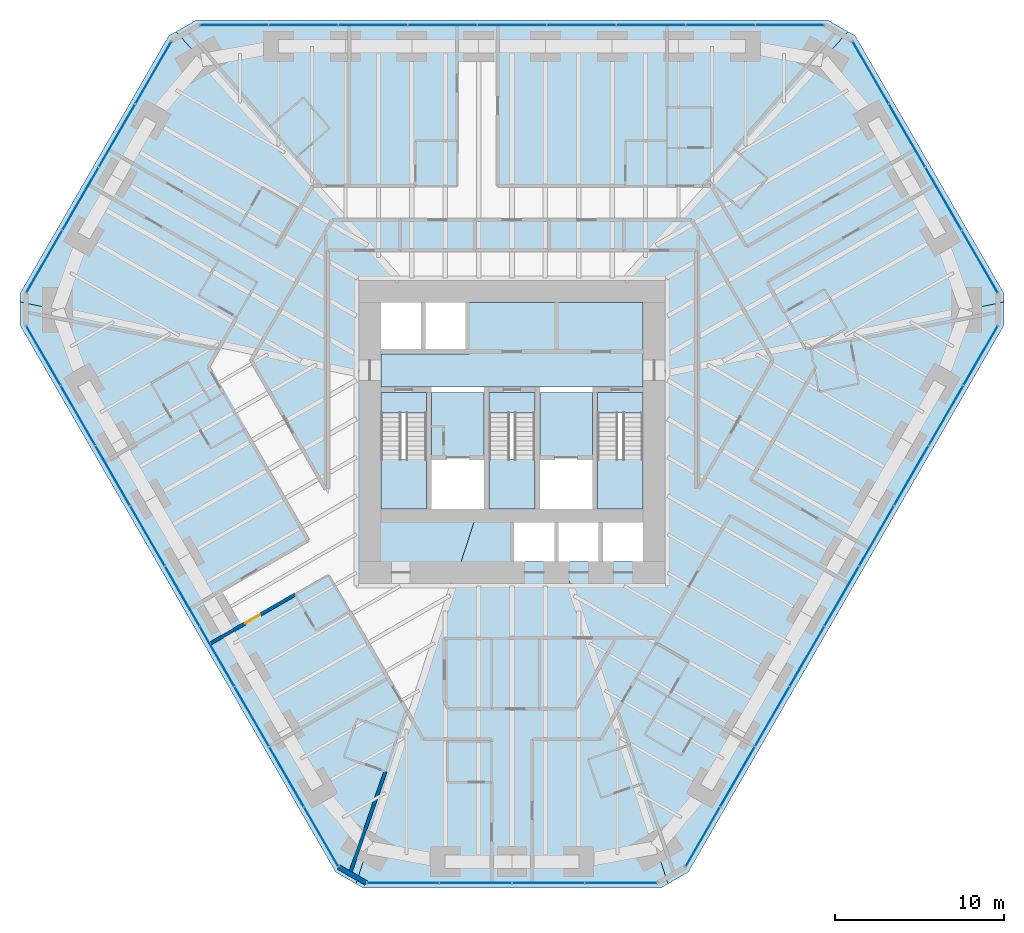
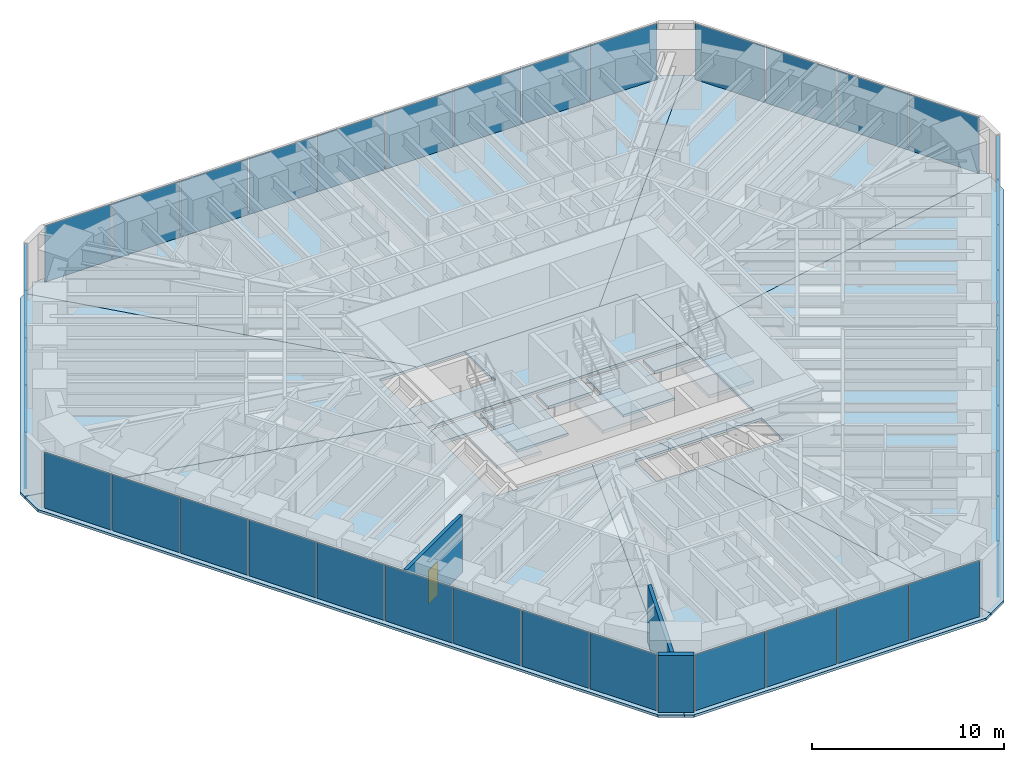
# One storey, part 10 of 17: 39 plates, 15 slabs, 3 walls, 1 door, 1 opening, 9 elements without a shape of their own.
"""IFC4 building model written with IfcOpenShell, lengths in metres."""

from ifc_helpers import new_model, si_unit, direction, frame, frame_2d, origin, origin_2d, place, context, subcontext, project, spatial, polyline, rectangle, outline, extrude, material, layer, layer_set, type_object, element, fill, aggregate, save


model = new_model("IFC4")

# Units and contexts
model_context = context("Model", 3, precision=1e-05, world=origin(), true_north=direction((0.0, 1.0)))
body_context = subcontext(model_context, "Body", "Model", "MODEL_VIEW")
ifc_project = project(units=[si_unit("LENGTHUNIT", "METRE"), si_unit("AREAUNIT", "SQUARE_METRE"), si_unit("VOLUMEUNIT", "CUBIC_METRE"), si_unit("PLANEANGLEUNIT", "RADIAN"), si_unit("MASSUNIT", "GRAM", prefix="KILO")], contexts=[model_context])

# Site, building, storey
site_placement = place(None, origin())
site = spatial("IfcSite", under=ifc_project, at=site_placement, CompositionType="ELEMENT")
building_placement = place(site_placement, origin())
building = spatial("IfcBuilding", under=site, at=building_placement, Name="Sandreach Pilgrim Tower", CompositionType="ELEMENT")
storey_placement = place(building_placement, frame((0.0, 0.0, 104.39990234375)))
storey = spatial("IfcBuildingStorey", under=building, at=storey_placement, Name="L25", CompositionType="ELEMENT", Elevation=104.39990234375)

# Curtain wall, plates
ifc_material_1 = material(Name="Aluminium framed curtain wall", Category="aluminium")
curtain_wall_type = type_object("IfcCurtainWallType", Name="Hotel tower curtain wall", PredefinedType="NOTDEFINED", material=ifc_material_1)
curtain_wall_1_placement = place(storey_placement, origin())
curtain_wall_1 = element("IfcCurtainWall", 1, at=curtain_wall_1_placement, inside=storey, type_object=curtain_wall_type, Name="CW-2 L25 N", PredefinedType="NOTDEFINED")
ifc_material_2 = material(Name="Insulating glass unit 8 heat-strengthened + 16 argon + 8 heat-strengthened", Category="glass")
ifc_layer_1 = layer(ifc_material_2, 0.031982421875)
ifc_layer_set_1 = layer_set([ifc_layer_1], Name="CW-2 panel")
plate_type = type_object("IfcPlateType", Name="CW-2 panel", PredefinedType="CURTAIN_PANEL", material=ifc_layer_set_1)
plate_1_placement = place(storey_placement, frame((-16.41162109375, 22.493896484375, 0.0), z_axis=(0.0, 0.0, 1.0), x_axis=(1.0, 0.0, 0.0)))
plate_1 = element("IfcPlate", 2, at=plate_1_placement, type_object=plate_type, Name="CW-2 panel 1", PredefinedType="CURTAIN_PANEL", context=body_context, shape_type="SweptSolid", body=[
    extrude(rectangle(XDim=4.009521484375, YDim=0.031982421875, at=origin_2d()), origin(), (0.0, 0.0, 1.0), 3.570068359375),
])
plate_2_placement = place(storey_placement, frame((-12.32080078125, 22.493896484375, 0.0), z_axis=(0.0, 0.0, 1.0), x_axis=(1.0, 0.0, 0.0)))
plate_2 = element("IfcPlate", 3, at=plate_2_placement, type_object=plate_type, Name="CW-2 panel 2", PredefinedType="CURTAIN_PANEL", context=body_context, shape_type="SweptSolid", body=[
    extrude(rectangle(XDim=4.0419921875, YDim=0.031982421875, at=origin_2d()), origin(), (0.0, 0.0, 1.0), 3.570068359375),
])
plate_3_placement = place(storey_placement, frame((-8.2138671875, 22.493896484375, 0.0), z_axis=(0.0, 0.0, 1.0), x_axis=(1.0, 0.0, 0.0)))
plate_3 = element("IfcPlate", 4, at=plate_3_placement, type_object=plate_type, Name="CW-2 panel 3", PredefinedType="CURTAIN_PANEL", context=body_context, shape_type="SweptSolid", body=[
    extrude(rectangle(XDim=4.0419921875, YDim=0.031982421875, at=origin_2d()), origin(), (0.0, 0.0, 1.0), 3.570068359375),
])
plate_4_placement = place(storey_placement, frame((-4.10693359375, 22.493896484375, 0.0), z_axis=(0.0, 0.0, 1.0), x_axis=(1.0, 0.0, 0.0)))
plate_4 = element("IfcPlate", 5, at=plate_4_placement, type_object=plate_type, Name="CW-2 panel 4", PredefinedType="CURTAIN_PANEL", context=body_context, shape_type="SweptSolid", body=[
    extrude(rectangle(XDim=4.0419921875, YDim=0.031982421875, at=origin_2d()), origin(), (0.0, 0.0, 1.0), 3.570068359375),
])
plate_5_placement = place(storey_placement, frame((0.0, 22.493896484375, 0.0), z_axis=(0.0, 0.0, 1.0), x_axis=(1.0, 0.0, 0.0)))
plate_5 = element("IfcPlate", 6, at=plate_5_placement, type_object=plate_type, Name="CW-2 panel 5", PredefinedType="CURTAIN_PANEL", context=body_context, shape_type="SweptSolid", body=[
    extrude(rectangle(XDim=4.0419921875, YDim=0.031982421875, at=origin_2d()), origin(), (0.0, 0.0, 1.0), 3.570068359375),
])
plate_6_placement = place(storey_placement, frame((4.10693359375, 22.493896484375, 0.0), z_axis=(0.0, 0.0, 1.0), x_axis=(1.0, 0.0, 0.0)))
plate_6 = element("IfcPlate", 7, at=plate_6_placement, type_object=plate_type, Name="CW-2 panel 6", PredefinedType="CURTAIN_PANEL", context=body_context, shape_type="SweptSolid", body=[
    extrude(rectangle(XDim=4.0419921875, YDim=0.031982421875, at=origin_2d()), origin(), (0.0, 0.0, 1.0), 3.570068359375),
])
plate_7_placement = place(storey_placement, frame((8.2138671875, 22.493896484375, 0.0), z_axis=(0.0, 0.0, 1.0), x_axis=(1.0, 0.0, 0.0)))
plate_7 = element("IfcPlate", 8, at=plate_7_placement, type_object=plate_type, Name="CW-2 panel 7", PredefinedType="CURTAIN_PANEL", context=body_context, shape_type="SweptSolid", body=[
    extrude(rectangle(XDim=4.0419921875, YDim=0.031982421875, at=origin_2d()), origin(), (0.0, 0.0, 1.0), 3.570068359375),
])
plate_8_placement = place(storey_placement, frame((12.32080078125, 22.493896484375, 0.0), z_axis=(0.0, 0.0, 1.0), x_axis=(1.0, 0.0, 0.0)))
plate_8 = element("IfcPlate", 9, at=plate_8_placement, type_object=plate_type, Name="CW-2 panel 8", PredefinedType="CURTAIN_PANEL", context=body_context, shape_type="SweptSolid", body=[
    extrude(rectangle(XDim=4.0419921875, YDim=0.031982421875, at=origin_2d()), origin(), (0.0, 0.0, 1.0), 3.570068359375),
])
plate_9_placement = place(storey_placement, frame((16.41162109375, 22.493896484375, 0.0), z_axis=(0.0, 0.0, 1.0), x_axis=(1.0, 0.0, 0.0)))
plate_9 = element("IfcPlate", 10, at=plate_9_placement, type_object=plate_type, Name="CW-2 panel 9", PredefinedType="CURTAIN_PANEL", context=body_context, shape_type="SweptSolid", body=[
    extrude(rectangle(XDim=4.009521484375, YDim=0.031982421875, at=origin_2d()), origin(), (0.0, 0.0, 1.0), 3.570068359375),
])
aggregate(curtain_wall_1, [plate_1, plate_2, plate_3, plate_4, plate_5, plate_6, plate_7, plate_8, plate_9])

curtain_wall_2_placement = place(storey_placement, origin())
curtain_wall_2 = element("IfcCurtainWall", 11, at=curtain_wall_2_placement, inside=storey, type_object=curtain_wall_type, Name="CW-2 L25 NE", PredefinedType="NOTDEFINED")
plate_10_placement = place(storey_placement, frame((21.194091796875, 19.67529296875, 0.0), z_axis=(0.0, 0.0, 1.0), x_axis=(0.5, -0.866025403784, 0.0)))
plate_10 = element("IfcPlate", 12, at=plate_10_placement, type_object=plate_type, Name="CW-2 panel 1", PredefinedType="CURTAIN_PANEL", context=body_context, shape_type="SweptSolid", body=[
    extrude(rectangle(XDim=4.208251953125, YDim=0.031982421875, at=origin_2d()), origin(), (0.0, 0.0, 1.0), 3.570068359375),
])
plate_11_placement = place(storey_placement, frame((23.3388671875, 15.96044921875, 0.0), z_axis=(0.0, 0.0, 1.0), x_axis=(0.5, -0.866025403784, 0.0)))
plate_11 = element("IfcPlate", 13, at=plate_11_placement, type_object=plate_type, Name="CW-2 panel 2", PredefinedType="CURTAIN_PANEL", context=body_context, shape_type="SweptSolid", body=[
    extrude(rectangle(XDim=4.24072265625, YDim=0.031982421875, at=origin_2d()), origin(), (0.0, 0.0, 1.0), 3.570068359375),
])
plate_12_placement = place(storey_placement, frame((25.49169921875, 12.231689453125, 0.0), z_axis=(0.0, 0.0, 1.0), x_axis=(0.5, -0.866025403784, 0.0)))
plate_12 = element("IfcPlate", 14, at=plate_12_placement, type_object=plate_type, Name="CW-2 panel 3", PredefinedType="CURTAIN_PANEL", context=body_context, shape_type="SweptSolid", body=[
    extrude(rectangle(XDim=4.24072265625, YDim=0.031982421875, at=origin_2d()), origin(), (0.0, 0.0, 1.0), 3.570068359375),
])
plate_13_placement = place(storey_placement, frame((27.63623046875, 8.516845703125, 0.0), z_axis=(0.0, 0.0, 1.0), x_axis=(0.5, -0.866025403784, 0.0)))
plate_13 = element("IfcPlate", 15, at=plate_13_placement, type_object=plate_type, Name="CW-2 panel 4", PredefinedType="CURTAIN_PANEL", context=body_context, shape_type="SweptSolid", body=[
    extrude(rectangle(XDim=4.208251953125, YDim=0.031982421875, at=origin_2d()), origin(), (0.0, 0.0, 1.0), 3.570068359375),
])
aggregate(curtain_wall_2, [plate_10, plate_11, plate_12, plate_13])

curtain_wall_3_placement = place(storey_placement, origin())
curtain_wall_3 = element("IfcCurtainWall", 16, at=curtain_wall_3_placement, inside=storey, type_object=curtain_wall_type, Name="CW-2 L25 SE", PredefinedType="NOTDEFINED")
plate_14_placement = place(storey_placement, frame((27.68603515625, 2.966064453125, 0.0), z_axis=(0.0, 0.0, 1.0), x_axis=(-0.5, -0.866025403784, 0.0)))
plate_14 = element("IfcPlate", 17, at=plate_14_placement, type_object=plate_type, Name="CW-2 panel 1", PredefinedType="CURTAIN_PANEL", context=body_context, shape_type="SweptSolid", body=[
    extrude(rectangle(XDim=4.009521484375, YDim=0.031982421875, at=origin_2d()), origin(), (0.0, 0.0, 1.0), 3.570068359375),
])
plate_15_placement = place(storey_placement, frame((25.640625, -0.57666015625, 0.0), z_axis=(0.0, 0.0, 1.0), x_axis=(-0.5, -0.866025403784, 0.0)))
plate_15 = element("IfcPlate", 18, at=plate_15_placement, type_object=plate_type, Name="CW-2 panel 2", PredefinedType="CURTAIN_PANEL", context=body_context, shape_type="SweptSolid", body=[
    extrude(rectangle(XDim=4.0419921875, YDim=0.031982421875, at=origin_2d()), origin(), (0.0, 0.0, 1.0), 3.570068359375),
])
plate_16_placement = place(storey_placement, frame((23.587158203125, -4.13330078125, 0.0), z_axis=(0.0, 0.0, 1.0), x_axis=(-0.5, -0.866025403784, 0.0)))
plate_16 = element("IfcPlate", 19, at=plate_16_placement, type_object=plate_type, Name="CW-2 panel 3", PredefinedType="CURTAIN_PANEL", context=body_context, shape_type="SweptSolid", body=[
    extrude(rectangle(XDim=4.0419921875, YDim=0.031982421875, at=origin_2d()), origin(), (0.0, 0.0, 1.0), 3.570068359375),
])
plate_17_placement = place(storey_placement, frame((21.53369140625, -7.690185546875, 0.0), z_axis=(0.0, 0.0, 1.0), x_axis=(-0.5, -0.866025403784, 0.0)))
plate_17 = element("IfcPlate", 20, at=plate_17_placement, type_object=plate_type, Name="CW-2 panel 4", PredefinedType="CURTAIN_PANEL", context=body_context, shape_type="SweptSolid", body=[
    extrude(rectangle(XDim=4.0419921875, YDim=0.031982421875, at=origin_2d()), origin(), (0.0, 0.0, 1.0), 3.570068359375),
])
plate_18_placement = place(storey_placement, frame((19.480224609375, -11.246826171875, 0.0), z_axis=(0.0, 0.0, 1.0), x_axis=(-0.5, -0.866025403784, 0.0)))
plate_18 = element("IfcPlate", 21, at=plate_18_placement, type_object=plate_type, Name="CW-2 panel 5", PredefinedType="CURTAIN_PANEL", context=body_context, shape_type="SweptSolid", body=[
    extrude(rectangle(XDim=4.0419921875, YDim=0.031982421875, at=origin_2d()), origin(), (0.0, 0.0, 1.0), 3.570068359375),
])
plate_19_placement = place(storey_placement, frame((17.4267578125, -14.8037109375, 0.0), z_axis=(0.0, 0.0, 1.0), x_axis=(-0.5, -0.866025403784, 0.0)))
plate_19 = element("IfcPlate", 22, at=plate_19_placement, type_object=plate_type, Name="CW-2 panel 6", PredefinedType="CURTAIN_PANEL", context=body_context, shape_type="SweptSolid", body=[
    extrude(rectangle(XDim=4.0419921875, YDim=0.031982421875, at=origin_2d()), origin(), (0.0, 0.0, 1.0), 3.570068359375),
])
plate_20_placement = place(storey_placement, frame((15.373291015625, -18.3603515625, 0.0), z_axis=(0.0, 0.0, 1.0), x_axis=(-0.5, -0.866025403784, 0.0)))
plate_20 = element("IfcPlate", 23, at=plate_20_placement, type_object=plate_type, Name="CW-2 panel 7", PredefinedType="CURTAIN_PANEL", context=body_context, shape_type="SweptSolid", body=[
    extrude(rectangle(XDim=4.0419921875, YDim=0.031982421875, at=origin_2d()), origin(), (0.0, 0.0, 1.0), 3.570068359375),
])
plate_21_placement = place(storey_placement, frame((13.31982421875, -21.917236328125, 0.0), z_axis=(0.0, 0.0, 1.0), x_axis=(-0.5, -0.866025403784, 0.0)))
plate_21 = element("IfcPlate", 24, at=plate_21_placement, type_object=plate_type, Name="CW-2 panel 8", PredefinedType="CURTAIN_PANEL", context=body_context, shape_type="SweptSolid", body=[
    extrude(rectangle(XDim=4.0419921875, YDim=0.031982421875, at=origin_2d()), origin(), (0.0, 0.0, 1.0), 3.570068359375),
])
plate_22_placement = place(storey_placement, frame((11.2744140625, -25.459716796875, 0.0), z_axis=(0.0, 0.0, 1.0), x_axis=(-0.5, -0.866025403784, 0.0)))
plate_22 = element("IfcPlate", 25, at=plate_22_placement, type_object=plate_type, Name="CW-2 panel 9", PredefinedType="CURTAIN_PANEL", context=body_context, shape_type="SweptSolid", body=[
    extrude(rectangle(XDim=4.009521484375, YDim=0.031982421875, at=origin_2d()), origin(), (0.0, 0.0, 1.0), 3.570068359375),
])
aggregate(curtain_wall_3, [plate_14, plate_15, plate_16, plate_17, plate_18, plate_19, plate_20, plate_21, plate_22])

curtain_wall_4_placement = place(storey_placement, origin())
curtain_wall_4 = element("IfcCurtainWall", 26, at=curtain_wall_4_placement, inside=storey, type_object=curtain_wall_type, Name="CW-2 L25 S", PredefinedType="NOTDEFINED")
plate_23_placement = place(storey_placement, frame((6.4423828125, -28.192138671875, 0.0), z_axis=(0.0, 0.0, 1.0), x_axis=(-1.0, 0.0, 0.0)))
plate_23 = element("IfcPlate", 27, at=plate_23_placement, type_object=plate_type, Name="CW-2 panel 1", PredefinedType="CURTAIN_PANEL", context=body_context, shape_type="SweptSolid", body=[
    extrude(rectangle(XDim=4.208251953125, YDim=0.031982421875, at=origin_2d()), origin(), (0.0, 0.0, 1.0), 3.570068359375),
])
plate_24_placement = place(storey_placement, frame((2.15283203125, -28.192138671875, 0.0), z_axis=(0.0, 0.0, 1.0), x_axis=(-1.0, 0.0, 0.0)))
plate_24 = element("IfcPlate", 28, at=plate_24_placement, type_object=plate_type, Name="CW-2 panel 2", PredefinedType="CURTAIN_PANEL", context=body_context, shape_type="SweptSolid", body=[
    extrude(rectangle(XDim=4.24072265625, YDim=0.031982421875, at=origin_2d()), origin(), (0.0, 0.0, 1.0), 3.570068359375),
])
plate_25_placement = place(storey_placement, frame((-2.15283203125, -28.192138671875, 0.0), z_axis=(0.0, 0.0, 1.0), x_axis=(-1.0, 0.0, 0.0)))
plate_25 = element("IfcPlate", 29, at=plate_25_placement, type_object=plate_type, Name="CW-2 panel 3", PredefinedType="CURTAIN_PANEL", context=body_context, shape_type="SweptSolid", body=[
    extrude(rectangle(XDim=4.24072265625, YDim=0.031982421875, at=origin_2d()), origin(), (0.0, 0.0, 1.0), 3.570068359375),
])
plate_26_placement = place(storey_placement, frame((-6.4423828125, -28.192138671875, 0.0), z_axis=(0.0, 0.0, 1.0), x_axis=(-1.0, 0.0, 0.0)))
plate_26 = element("IfcPlate", 30, at=plate_26_placement, type_object=plate_type, Name="CW-2 panel 4", PredefinedType="CURTAIN_PANEL", context=body_context, shape_type="SweptSolid", body=[
    extrude(rectangle(XDim=4.208251953125, YDim=0.031982421875, at=origin_2d()), origin(), (0.0, 0.0, 1.0), 3.570068359375),
])
aggregate(curtain_wall_4, [plate_23, plate_24, plate_25, plate_26])

curtain_wall_5_placement = place(storey_placement, origin())
curtain_wall_5 = element("IfcCurtainWall", 31, at=curtain_wall_5_placement, inside=storey, type_object=curtain_wall_type, Name="CW-2 L25 SW", PredefinedType="NOTDEFINED")
plate_27_placement = place(storey_placement, frame((-11.2744140625, -25.459716796875, 0.0), z_axis=(0.0, 0.0, 1.0), x_axis=(-0.5, 0.866025403784, 0.0)))
plate_27 = element("IfcPlate", 32, at=plate_27_placement, type_object=plate_type, Name="CW-2 panel 1", PredefinedType="CURTAIN_PANEL", context=body_context, shape_type="SweptSolid", body=[
    extrude(rectangle(XDim=4.009521484375, YDim=0.031982421875, at=origin_2d()), origin(), (0.0, 0.0, 1.0), 3.570068359375),
])
plate_28_placement = place(storey_placement, frame((-13.31982421875, -21.917236328125, 0.0), z_axis=(0.0, 0.0, 1.0), x_axis=(-0.5, 0.866025403784, 0.0)))
plate_28 = element("IfcPlate", 33, at=plate_28_placement, type_object=plate_type, Name="CW-2 panel 2", PredefinedType="CURTAIN_PANEL", context=body_context, shape_type="SweptSolid", body=[
    extrude(rectangle(XDim=4.0419921875, YDim=0.031982421875, at=origin_2d()), origin(), (0.0, 0.0, 1.0), 3.570068359375),
])
plate_29_placement = place(storey_placement, frame((-15.373291015625, -18.3603515625, 0.0), z_axis=(0.0, 0.0, 1.0), x_axis=(-0.5, 0.866025403784, 0.0)))
plate_29 = element("IfcPlate", 34, at=plate_29_placement, type_object=plate_type, Name="CW-2 panel 3", PredefinedType="CURTAIN_PANEL", context=body_context, shape_type="SweptSolid", body=[
    extrude(rectangle(XDim=4.0419921875, YDim=0.031982421875, at=origin_2d()), origin(), (0.0, 0.0, 1.0), 3.570068359375),
])
plate_30_placement = place(storey_placement, frame((-17.4267578125, -14.8037109375, 0.0), z_axis=(0.0, 0.0, 1.0), x_axis=(-0.5, 0.866025403784, 0.0)))
plate_30 = element("IfcPlate", 35, at=plate_30_placement, type_object=plate_type, Name="CW-2 panel 4", PredefinedType="CURTAIN_PANEL", context=body_context, shape_type="SweptSolid", body=[
    extrude(rectangle(XDim=4.0419921875, YDim=0.031982421875, at=origin_2d()), origin(), (0.0, 0.0, 1.0), 3.570068359375),
])
plate_31_placement = place(storey_placement, frame((-19.480224609375, -11.246826171875, 0.0), z_axis=(0.0, 0.0, 1.0), x_axis=(-0.5, 0.866025403784, 0.0)))
plate_31 = element("IfcPlate", 36, at=plate_31_placement, type_object=plate_type, Name="CW-2 panel 5", PredefinedType="CURTAIN_PANEL", context=body_context, shape_type="SweptSolid", body=[
    extrude(rectangle(XDim=4.0419921875, YDim=0.031982421875, at=origin_2d()), origin(), (0.0, 0.0, 1.0), 3.570068359375),
])
plate_32_placement = place(storey_placement, frame((-21.53369140625, -7.690185546875, 0.0), z_axis=(0.0, 0.0, 1.0), x_axis=(-0.5, 0.866025403784, 0.0)))
plate_32 = element("IfcPlate", 37, at=plate_32_placement, type_object=plate_type, Name="CW-2 panel 6", PredefinedType="CURTAIN_PANEL", context=body_context, shape_type="SweptSolid", body=[
    extrude(rectangle(XDim=4.0419921875, YDim=0.031982421875, at=origin_2d()), origin(), (0.0, 0.0, 1.0), 3.570068359375),
])
plate_33_placement = place(storey_placement, frame((-23.587158203125, -4.13330078125, 0.0), z_axis=(0.0, 0.0, 1.0), x_axis=(-0.5, 0.866025403784, 0.0)))
plate_33 = element("IfcPlate", 38, at=plate_33_placement, type_object=plate_type, Name="CW-2 panel 7", PredefinedType="CURTAIN_PANEL", context=body_context, shape_type="SweptSolid", body=[
    extrude(rectangle(XDim=4.0419921875, YDim=0.031982421875, at=origin_2d()), origin(), (0.0, 0.0, 1.0), 3.570068359375),
])
plate_34_placement = place(storey_placement, frame((-25.640625, -0.57666015625, 0.0), z_axis=(0.0, 0.0, 1.0), x_axis=(-0.5, 0.866025403784, 0.0)))
plate_34 = element("IfcPlate", 39, at=plate_34_placement, type_object=plate_type, Name="CW-2 panel 8", PredefinedType="CURTAIN_PANEL", context=body_context, shape_type="SweptSolid", body=[
    extrude(rectangle(XDim=4.0419921875, YDim=0.031982421875, at=origin_2d()), origin(), (0.0, 0.0, 1.0), 3.570068359375),
])
plate_35_placement = place(storey_placement, frame((-27.68603515625, 2.966064453125, 0.0), z_axis=(0.0, 0.0, 1.0), x_axis=(-0.5, 0.866025403784, 0.0)))
plate_35 = element("IfcPlate", 40, at=plate_35_placement, type_object=plate_type, Name="CW-2 panel 9", PredefinedType="CURTAIN_PANEL", context=body_context, shape_type="SweptSolid", body=[
    extrude(rectangle(XDim=4.009521484375, YDim=0.031982421875, at=origin_2d()), origin(), (0.0, 0.0, 1.0), 3.570068359375),
])
aggregate(curtain_wall_5, [plate_27, plate_28, plate_29, plate_30, plate_31, plate_32, plate_33, plate_34, plate_35])

curtain_wall_6_placement = place(storey_placement, origin())
curtain_wall_6 = element("IfcCurtainWall", 41, at=curtain_wall_6_placement, inside=storey, type_object=curtain_wall_type, Name="CW-2 L25 NW", PredefinedType="NOTDEFINED")
plate_36_placement = place(storey_placement, frame((-27.63623046875, 8.516845703125, 0.0), z_axis=(0.0, 0.0, 1.0), x_axis=(0.5, 0.866025403784, 0.0)))
plate_36 = element("IfcPlate", 42, at=plate_36_placement, type_object=plate_type, Name="CW-2 panel 1", PredefinedType="CURTAIN_PANEL", context=body_context, shape_type="SweptSolid", body=[
    extrude(rectangle(XDim=4.208251953125, YDim=0.031982421875, at=origin_2d()), origin(), (0.0, 0.0, 1.0), 3.570068359375),
])
plate_37_placement = place(storey_placement, frame((-25.49169921875, 12.231689453125, 0.0), z_axis=(0.0, 0.0, 1.0), x_axis=(0.5, 0.866025403784, 0.0)))
plate_37 = element("IfcPlate", 43, at=plate_37_placement, type_object=plate_type, Name="CW-2 panel 2", PredefinedType="CURTAIN_PANEL", context=body_context, shape_type="SweptSolid", body=[
    extrude(rectangle(XDim=4.24072265625, YDim=0.031982421875, at=origin_2d()), origin(), (0.0, 0.0, 1.0), 3.570068359375),
])
plate_38_placement = place(storey_placement, frame((-23.3388671875, 15.96044921875, 0.0), z_axis=(0.0, 0.0, 1.0), x_axis=(0.5, 0.866025403784, 0.0)))
plate_38 = element("IfcPlate", 44, at=plate_38_placement, type_object=plate_type, Name="CW-2 panel 3", PredefinedType="CURTAIN_PANEL", context=body_context, shape_type="SweptSolid", body=[
    extrude(rectangle(XDim=4.24072265625, YDim=0.031982421875, at=origin_2d()), origin(), (0.0, 0.0, 1.0), 3.570068359375),
])
plate_39_placement = place(storey_placement, frame((-21.194091796875, 19.67529296875, 0.0), z_axis=(0.0, 0.0, 1.0), x_axis=(0.5, 0.866025403784, 0.0)))
plate_39 = element("IfcPlate", 45, at=plate_39_placement, type_object=plate_type, Name="CW-2 panel 4", PredefinedType="CURTAIN_PANEL", context=body_context, shape_type="SweptSolid", body=[
    extrude(rectangle(XDim=4.208251953125, YDim=0.031982421875, at=origin_2d()), origin(), (0.0, 0.0, 1.0), 3.570068359375),
])
aggregate(curtain_wall_6, [plate_36, plate_37, plate_38, plate_39])

# Slabs
ifc_material_3 = material(Name="Concrete 8000 psi", Category="concrete")
ifc_layer_2 = layer(ifc_material_3, 0.159912109375)
ifc_layer_set_2 = layer_set([ifc_layer_2], Name="Composite floor slab 160")
slab_type_1 = type_object("IfcSlabType", Name="Composite floor slab 160", PredefinedType="FLOOR", material=ifc_layer_set_2)
slab_1_placement = place(storey_placement, frame((0.0, 0.0, -0.159912109375)))
element("IfcSlab", 46, at=slab_1_placement, inside=storey, type_object=slab_type_1, Name="Floor slab L25 N sector", PredefinedType="FLOOR", context=body_context, shape_type="SweptSolid", body=[
    extrude(outline(polyline([(-18.654541015625, 22.793701171875), (18.654541015625, 22.793701171875), (19.848388671875, 22.1044921875), (5.477294921875, 6.10009765625), (-5.477294921875, 6.10009765625), (-19.848388671875, 22.1044921875), (-18.654541015625, 22.793701171875)])), origin(), (0.0, 0.0, 1.0), 0.159912109375),
])
slab_2_placement = place(storey_placement, frame((0.0, 0.0, -0.159912109375)))
element("IfcSlab", 47, at=slab_2_placement, inside=storey, type_object=slab_type_1, Name="Floor slab L25 NE sector", PredefinedType="FLOOR", context=body_context, shape_type="SweptSolid", body=[
    extrude(outline(polyline([(20.28271484375, 21.853759765625), (29.0673828125, 6.638427734375), (29.0673828125, 6.13720703125), (7.75, 1.63623046875), (7.75, 6.10009765625), (5.477294921875, 6.10009765625), (19.848388671875, 22.1044921875), (20.28271484375, 21.853759765625)])), origin(), (0.0, 0.0, 1.0), 0.159912109375),
])
slab_3_placement = place(storey_placement, frame((0.0, 0.0, -0.159912109375)))
element("IfcSlab", 48, at=slab_3_placement, inside=storey, type_object=slab_type_1, Name="Floor slab L25 SE sector", PredefinedType="FLOOR", context=body_context, shape_type="SweptSolid", body=[
    extrude(outline(polyline([(29.0673828125, 4.75830078125), (10.41259765625, -27.55224609375), (9.21875, -28.241455078125), (3.003173828125, -9.199951171875), (7.75, -9.199951171875), (7.75, -6.89990234375), (2.252197265625, -6.89990234375), (1.9912109375, -6.10009765625), (7.75, -6.10009765625), (7.75, 1.63623046875), (29.0673828125, 6.13720703125), (29.0673828125, 4.75830078125)])), origin(), (0.0, 0.0, 1.0), 0.159912109375),
])
slab_4_placement = place(storey_placement, frame((0.0, 0.0, -0.159912109375)))
element("IfcSlab", 49, at=slab_4_placement, inside=storey, type_object=slab_type_1, Name="Floor slab L25 S sector", PredefinedType="FLOOR", context=body_context, shape_type="SweptSolid", body=[
    extrude(outline(polyline([(8.78466796875, -28.4921875), (-8.78466796875, -28.4921875), (-9.21875, -28.241455078125), (-1.9912109375, -6.10009765625), (1.9912109375, -6.10009765625), (2.252197265625, -6.89990234375), (0.125, -6.89990234375), (0.125, -9.199951171875), (3.003173828125, -9.199951171875), (9.21875, -28.241455078125), (8.78466796875, -28.4921875)])), origin(), (0.0, 0.0, 1.0), 0.159912109375),
])
slab_5_placement = place(storey_placement, frame((0.0, 0.0, -0.159912109375)))
element("IfcSlab", 50, at=slab_5_placement, inside=storey, type_object=slab_type_1, Name="Floor slab L25 SW sector", PredefinedType="FLOOR", context=body_context, shape_type="SweptSolid", body=[
    extrude(outline(polyline([(-10.41259765625, -27.55224609375), (-29.0673828125, 4.75830078125), (-29.0673828125, 6.13720703125), (-7.75, 1.63623046875), (-7.75, -6.10009765625), (-1.9912109375, -6.10009765625), (-9.21875, -28.241455078125), (-10.41259765625, -27.55224609375)])), origin(), (0.0, 0.0, 1.0), 0.159912109375),
])
slab_6_placement = place(storey_placement, frame((0.0, 0.0, -0.159912109375)))
element("IfcSlab", 51, at=slab_6_placement, inside=storey, type_object=slab_type_1, Name="Floor slab L25 NW sector", PredefinedType="FLOOR", context=body_context, shape_type="SweptSolid", body=[
    extrude(outline(polyline([(-29.0673828125, 6.638427734375), (-20.28271484375, 21.853759765625), (-19.848388671875, 22.1044921875), (-5.477294921875, 6.10009765625), (-7.75, 6.10009765625), (-7.75, 1.63623046875), (-29.0673828125, 6.13720703125), (-29.0673828125, 6.638427734375)])), origin(), (0.0, 0.0, 1.0), 0.159912109375),
])
slab_7_placement = place(storey_placement, frame((0.0, 0.0, -0.159912109375)))
element("IfcSlab", 52, at=slab_7_placement, inside=storey, type_object=slab_type_1, Name="Core floor slab L25", PredefinedType="FLOOR", context=body_context, shape_type="SweptSolid", body=[
    extrude(outline(polyline([(-7.75, 3.050048828125), (-5.375, 3.050048828125), (-5.125, 3.050048828125), (-2.5, 3.050048828125), (-2.5, 3.35009765625), (-2.60009765625, 3.35009765625), (-2.60009765625, 6.10009765625), (7.75, 6.10009765625), (7.75, 1.10009765625), (5.050048828125, 1.10009765625), (4.75, 1.10009765625), (1.64990234375, 1.10009765625), (1.35009765625, 1.10009765625), (-1.35009765625, 1.10009765625), (-1.64990234375, 1.10009765625), (-4.75, 1.10009765625), (-5.050048828125, 1.10009765625), (-7.75, 1.10009765625), (-7.75, 3.050048828125)])), origin(), (0.0, 0.0, 1.0), 0.159912109375),
])
slab_8_placement = place(storey_placement, frame((0.0, 0.0, -0.159912109375)))
element("IfcSlab", 53, at=slab_8_placement, inside=storey, type_object=slab_type_1, Name="Core floor slab L25 2", PredefinedType="FLOOR", context=body_context, shape_type="SweptSolid", body=[
    extrude(outline(polyline([(-1.64990234375, -3.050048828125), (-4.75, -3.050048828125), (-4.75, 0.800048828125), (-1.64990234375, 0.800048828125), (-1.64990234375, -3.050048828125)])), origin(), (0.0, 0.0, 1.0), 0.159912109375),
])
slab_9_placement = place(storey_placement, frame((0.0, 0.0, -0.159912109375)))
element("IfcSlab", 54, at=slab_9_placement, inside=storey, type_object=slab_type_1, Name="Core floor slab L25 3", PredefinedType="FLOOR", context=body_context, shape_type="SweptSolid", body=[
    extrude(outline(polyline([(4.75, -3.050048828125), (1.64990234375, -3.050048828125), (1.64990234375, 0.800048828125), (4.75, 0.800048828125), (4.75, -3.050048828125)])), origin(), (0.0, 0.0, 1.0), 0.159912109375),
])

# Stair, slabs
ifc_material_4 = material(Name="Concrete 8000 psi", Category="concrete")
stair_type = type_object("IfcStairType", Name="Core exit stair", PredefinedType="HALF_TURN_STAIR", material=ifc_material_4)
stair_1_placement = place(storey_placement, origin())
stair_1 = element("IfcStair", 55, at=stair_1_placement, inside=storey, type_object=stair_type, Name="Exit stair ST1 L25", PredefinedType="HALF_TURN_STAIR")
ifc_material_5 = material(Name="Concrete 8000 psi", Category="concrete")
ifc_layer_3 = layer(ifc_material_5, 0.199951171875)
ifc_layer_set_3 = layer_set([ifc_layer_3], Name="Core stair landing 200")
slab_type_2 = type_object("IfcSlabType", Name="Core stair landing 200", PredefinedType="LANDING", material=ifc_layer_set_3)
slab_10_placement = place(storey_placement, frame((0.0, 0.0, -0.199951171875)))
slab_10 = element("IfcSlab", 56, at=slab_10_placement, type_object=slab_type_2, Name="ST1 landing 1", PredefinedType="LANDING", context=body_context, shape_type="SweptSolid", body=[
    extrude(outline(polyline([(-7.75, -0.425048828125), (-5.050048828125, -0.425048828125), (-5.050048828125, 0.800048828125), (-7.75, 0.800048828125), (-7.75, -0.425048828125)])), origin(), (0.0, 0.0, 1.0), 0.199951171875),
])
slab_11_placement = place(storey_placement, frame((0.0, 0.0, 1.7001953125)))
slab_11 = element("IfcSlab", 57, at=slab_11_placement, type_object=slab_type_2, Name="ST1 landing 2", PredefinedType="LANDING", context=body_context, shape_type="SweptSolid", body=[
    extrude(outline(polyline([(-7.75, -6.10009765625), (-5.050048828125, -6.10009765625), (-5.050048828125, -3.175048828125), (-7.75, -3.175048828125), (-7.75, -6.10009765625)])), origin(), (0.0, 0.0, 1.0), 0.199951171875),
])
aggregate(stair_1, [slab_10, slab_11])

stair_2_placement = place(storey_placement, origin())
stair_2 = element("IfcStair", 58, at=stair_2_placement, inside=storey, type_object=stair_type, Name="Exit stair ST3 L25", PredefinedType="HALF_TURN_STAIR")
slab_12_placement = place(storey_placement, frame((0.0, 0.0, -0.199951171875)))
slab_12 = element("IfcSlab", 59, at=slab_12_placement, type_object=slab_type_2, Name="ST3 landing 1", PredefinedType="LANDING", context=body_context, shape_type="SweptSolid", body=[
    extrude(outline(polyline([(-1.35009765625, -0.425048828125), (1.35009765625, -0.425048828125), (1.35009765625, 0.800048828125), (-1.35009765625, 0.800048828125), (-1.35009765625, -0.425048828125)])), origin(), (0.0, 0.0, 1.0), 0.199951171875),
])
slab_13_placement = place(storey_placement, frame((0.0, 0.0, 1.7001953125)))
slab_13 = element("IfcSlab", 60, at=slab_13_placement, type_object=slab_type_2, Name="ST3 landing 2", PredefinedType="LANDING", context=body_context, shape_type="SweptSolid", body=[
    extrude(outline(polyline([(-1.35009765625, -6.10009765625), (1.35009765625, -6.10009765625), (1.35009765625, -3.175048828125), (-1.35009765625, -3.175048828125), (-1.35009765625, -6.10009765625)])), origin(), (0.0, 0.0, 1.0), 0.199951171875),
])
aggregate(stair_2, [slab_12, slab_13])

stair_3_placement = place(storey_placement, origin())
stair_3 = element("IfcStair", 61, at=stair_3_placement, inside=storey, type_object=stair_type, Name="Exit stair ST2 L25", PredefinedType="HALF_TURN_STAIR")
slab_14_placement = place(storey_placement, frame((0.0, 0.0, -0.199951171875)))
slab_14 = element("IfcSlab", 62, at=slab_14_placement, type_object=slab_type_2, Name="ST2 landing 1", PredefinedType="LANDING", context=body_context, shape_type="SweptSolid", body=[
    extrude(outline(polyline([(5.050048828125, -0.425048828125), (7.75, -0.425048828125), (7.75, 0.800048828125), (5.050048828125, 0.800048828125), (5.050048828125, -0.425048828125)])), origin(), (0.0, 0.0, 1.0), 0.199951171875),
])
slab_15_placement = place(storey_placement, frame((0.0, 0.0, 1.7001953125)))
slab_15 = element("IfcSlab", 63, at=slab_15_placement, type_object=slab_type_2, Name="ST2 landing 2", PredefinedType="LANDING", context=body_context, shape_type="SweptSolid", body=[
    extrude(outline(polyline([(5.050048828125, -6.10009765625), (7.75, -6.10009765625), (7.75, -3.175048828125), (5.050048828125, -3.175048828125), (5.050048828125, -6.10009765625)])), origin(), (0.0, 0.0, 1.0), 0.199951171875),
])
aggregate(stair_3, [slab_14, slab_15])

# Wall, opening, door
ifc_material_6 = material(Name="Gypsum board on steel studs, two layers each side", Category="steel")
ifc_layer_4 = layer(ifc_material_6, 0.199951171875)
ifc_layer_set_4 = layer_set([ifc_layer_4], Name="Corridor wall 200")
wall_type_1 = type_object("IfcWallType", Name="Corridor wall 200", PredefinedType="PARTITIONING", material=ifc_layer_set_4)
wall_1_placement = place(storey_placement, frame((-17.823974609375, -14.044921875, 0.0), z_axis=(0.0, 0.0, 1.0), x_axis=(0.866007919525, 0.500030282404, 0.0)))
wall_1 = element("IfcWall", 64, at=wall_1_placement, inside=storey, type_object=wall_type_1, Name="Corridor wall L25-017", PredefinedType="PARTITIONING", context=body_context, shape_type="SweptSolid", body=[
    extrude(rectangle(XDim=5.789794921875, YDim=0.199951171875, at=frame_2d((2.89501953125, 0.0))), origin(), (0.0, 0.0, 1.0), 3.64013671875),
])
opening_placement = place(wall_1_placement, frame((2.39501953125, 0.0, 0.0)))
opening = element("IfcOpeningElement", 65, at=opening_placement, cuts=wall_1, Name="Opening D10-13", PredefinedType="OPENING", context=body_context, shape_type="SweptSolid", body=[
    extrude(rectangle(XDim=1.0, YDim=2.1298828125, at=frame_2d((0.5, 1.06494140625))), frame((0.0, 0.10009765625, 0.0), z_axis=(0.0, -1.0, 0.0), x_axis=(1.0, 0.0, 0.0)), (0.0, 0.0, 1.0), 0.199951171875),
])
ifc_material_7 = material(Name="Steel door and frame", Category="steel")
door_type = type_object("IfcDoorType", Name="Guest room entry door", OperationType="SINGLE_SWING_LEFT", PredefinedType="DOOR", material=ifc_material_7)
door_placement = place(opening_placement, origin())
door = element("IfcDoor", 66, at=door_placement, inside=storey, type_object=door_type, Name="Door 2513", OperationType="SINGLE_SWING_LEFT", OverallHeight=2.1298828125, OverallWidth=1.0, PredefinedType="DOOR", context=body_context, shape_type="SweptSolid", body=[
    extrude(rectangle(XDim=1.0, YDim=2.1298828125, at=frame_2d((0.5, 1.06494140625))), frame((0.0, 0.02490234375, 0.0), z_axis=(0.0, -1.0, 0.0), x_axis=(1.0, 0.0, 0.0)), (0.0, 0.0, 1.0), 0.050048828125),
])
fill(opening, door)

# Walls
ifc_material_8 = material(Name="Double steel stud acoustic wall, gypsum board", Category="steel")
ifc_layer_5 = layer(ifc_material_8, 0.199951171875)
ifc_layer_set_5 = layer_set([ifc_layer_5], Name="Party wall 200")
wall_type_2 = type_object("IfcWallType", Name="Party wall 200", PredefinedType="PARTITIONING", material=ifc_layer_set_5)
wall_2_placement = place(storey_placement, frame((-9.580078125, -27.651611328125, 0.0), z_axis=(0.0, 0.0, 1.0), x_axis=(0.327855318627, 0.944727944991, 0.0)))
element("IfcWall", 67, at=wall_2_placement, inside=storey, type_object=wall_type_2, Name="Party wall L25-052", PredefinedType="PARTITIONING", context=body_context, shape_type="SweptSolid", body=[
    extrude(rectangle(XDim=6.405517578125, YDim=0.199951171875, at=frame_2d((3.20263671875, 0.0))), origin(), (0.0, 0.0, 1.0), 3.64013671875),
])
ifc_material_9 = material(Name="Terracotta rainscreen on concrete", Category="masonry")
ifc_layer_6 = layer(ifc_material_9, 0.300048828125)
ifc_layer_set_6 = layer_set([ifc_layer_6], Name="Terracotta chamfer pier")
wall_type_3 = type_object("IfcWallType", Name="Terracotta chamfer pier", PredefinedType="SOLIDWALL", material=ifc_layer_set_6)
wall_3_placement = place(storey_placement, frame((-8.611328125, -28.192138671875, 0.0), z_axis=(0.0, 0.0, 1.0), x_axis=(-0.866045024864, 0.499966013754, 0.0)))
element("IfcWall", 68, at=wall_3_placement, inside=storey, type_object=wall_type_3, Name="Chamfer pier L25 S", PredefinedType="SOLIDWALL", context=body_context, shape_type="SweptSolid", body=[
    extrude(rectangle(XDim=1.880126953125, YDim=0.300048828125, at=frame_2d((0.93994140625, 0.0))), origin(), (0.0, 0.0, 1.0), 3.64013671875),
])

save(model, "model.ifc")
